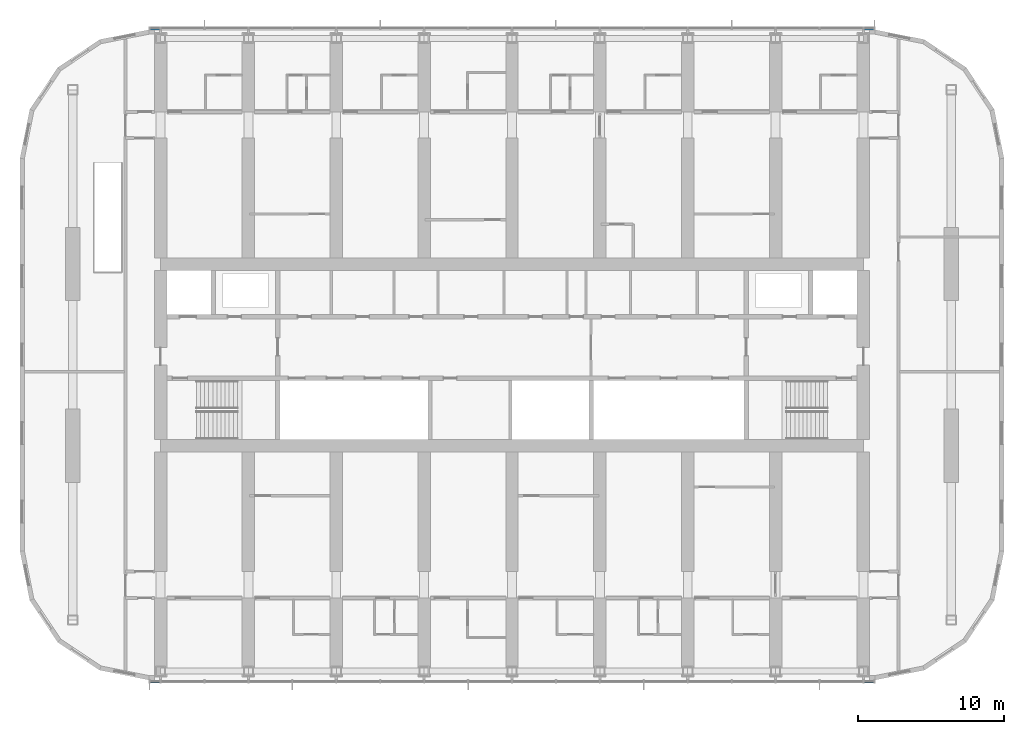
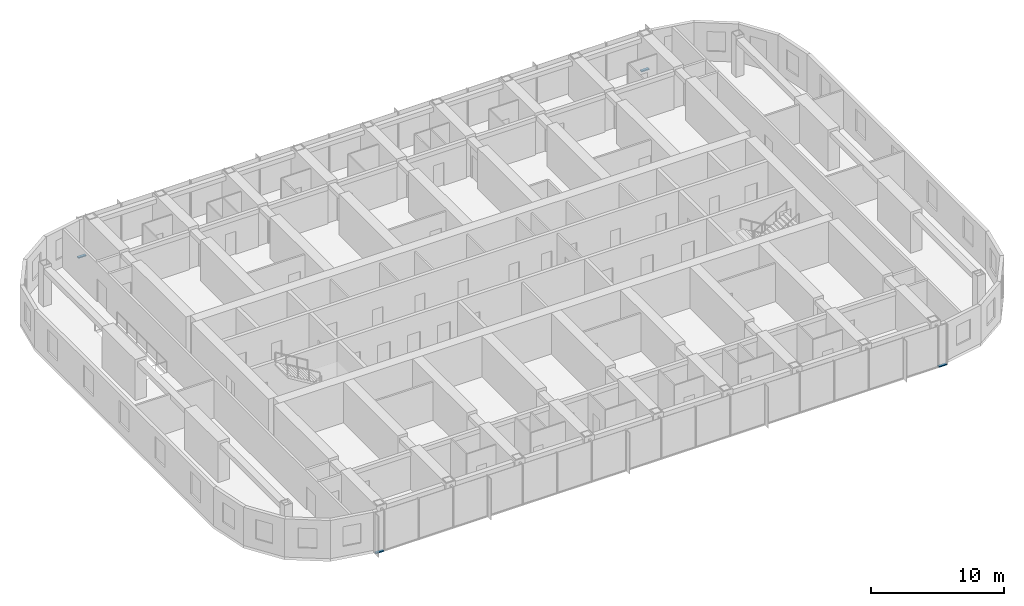
# One storey, part 6 of 22: 4 members, 2 elements without a shape of their own.
"""IFC4 building model written with IfcOpenShell, lengths in metres."""

from ifc_helpers import new_model, si_unit, direction, frame, origin, origin_2d, place, context, subcontext, project, spatial, rectangle, extrude, material, material_profile, profile_set, type_object, element, aggregate, save


model = new_model("IFC4")

# Units and contexts
model_context = context("Model", 3, precision=1e-05, world=origin(), true_north=direction((0.0, 1.0)))
body_context = subcontext(model_context, "Body", "Model", "MODEL_VIEW")
ifc_project = project(units=[si_unit("LENGTHUNIT", "METRE"), si_unit("AREAUNIT", "SQUARE_METRE"), si_unit("VOLUMEUNIT", "CUBIC_METRE"), si_unit("PLANEANGLEUNIT", "RADIAN"), si_unit("MASSUNIT", "GRAM", prefix="KILO")], contexts=[model_context])

# Site, building, storey
site_placement = place(None, origin())
site = spatial("IfcSite", under=ifc_project, at=site_placement, CompositionType="ELEMENT")
building_placement = place(site_placement, origin())
building = spatial("IfcBuilding", under=site, at=building_placement, Name="Orbita Commons", CompositionType="ELEMENT")
storey_placement = place(building_placement, frame((0.0, 0.0, 152.35009765625)))
storey = spatial("IfcBuildingStorey", under=building, at=storey_placement, Name="L37", CompositionType="ELEMENT", Elevation=152.35009765625)

# Curtain wall, members
ifc_material_1 = material(Name="Anodised aluminium frame, pale silver", Category="aluminium")
curtain_wall_type = type_object("IfcCurtainWallType", Name="Unitised curtain wall CW-U, full-height vision", PredefinedType="NOTDEFINED", material=ifc_material_1)
curtain_wall_1_placement = place(storey_placement, origin())
curtain_wall_1 = element("IfcCurtainWall", 1, at=curtain_wall_1_placement, inside=storey, type_object=curtain_wall_type, Name="Curtain wall south L37", PredefinedType="NOTDEFINED")
ifc_material_2 = material(Name="Anodised aluminium, pale silver", Category="aluminium")
ifc_material_profile = material_profile(ifc_material_2, rectangle(XDim=0.219970703125, YDim=0.10009765625, at=origin_2d()), Name="AL 220x100")
ifc_profile_set = profile_set([ifc_material_profile], Name="Anodised aluminium, pale silver")
member_type = type_object("IfcMemberType", Name="Curtain wall stack transom 220x100", PredefinedType="USERDEFINED", material=ifc_profile_set)
member_1_placement = place(storey_placement, frame((17.280029296875, 9.68994140625, -0.2001953125), z_axis=(1.0, 0.0, 0.0), x_axis=(0.0, 1.0, 0.0)))
member_1 = element("IfcMember", 2, at=member_1_placement, type_object=member_type, Name="Transom 1.1 CW-L37-S", ObjectType="TRANSOM", PredefinedType="USERDEFINED", context=body_context, shape_type="SweptSolid", body=[
    extrude(rectangle(XDim=0.219970703125, YDim=0.10009765625, at=origin_2d()), origin(), (0.0, 0.0, 1.0), 0.679931640625),
])
member_2_placement = place(storey_placement, frame((66.0400390625, 9.68994140625, -0.2001953125), z_axis=(1.0, 0.0, 0.0), x_axis=(0.0, 1.0, 0.0)))
member_2 = element("IfcMember", 3, at=member_2_placement, type_object=member_type, Name="Transom 18.1 CW-L37-S", ObjectType="TRANSOM", PredefinedType="USERDEFINED", context=body_context, shape_type="SweptSolid", body=[
    extrude(rectangle(XDim=0.219970703125, YDim=0.10009765625, at=origin_2d()), origin(), (0.0, 0.0, 1.0), 0.679931640625),
])
aggregate(curtain_wall_1, [member_1, member_2])

curtain_wall_2_placement = place(storey_placement, origin())
curtain_wall_2 = element("IfcCurtainWall", 4, at=curtain_wall_2_placement, inside=storey, type_object=curtain_wall_type, Name="Curtain wall north L37", PredefinedType="NOTDEFINED")
member_3_placement = place(storey_placement, frame((66.719970703125, 54.31005859375, -0.2001953125), z_axis=(-1.0, 0.0, 0.0), x_axis=(0.0, -1.0, 0.0)))
member_3 = element("IfcMember", 5, at=member_3_placement, type_object=member_type, Name="Transom 1.1 CW-L37-N", ObjectType="TRANSOM", PredefinedType="USERDEFINED", context=body_context, shape_type="SweptSolid", body=[
    extrude(rectangle(XDim=0.219970703125, YDim=0.10009765625, at=origin_2d()), origin(), (0.0, 0.0, 1.0), 0.679931640625),
])
member_4_placement = place(storey_placement, frame((17.9599609375, 54.31005859375, -0.2001953125), z_axis=(-1.0, 0.0, 0.0), x_axis=(0.0, -1.0, 0.0)))
member_4 = element("IfcMember", 6, at=member_4_placement, type_object=member_type, Name="Transom 18.1 CW-L37-N", ObjectType="TRANSOM", PredefinedType="USERDEFINED", context=body_context, shape_type="SweptSolid", body=[
    extrude(rectangle(XDim=0.219970703125, YDim=0.10009765625, at=origin_2d()), origin(), (0.0, 0.0, 1.0), 0.679931640625),
])
aggregate(curtain_wall_2, [member_3, member_4])

save(model, "model.ifc")
